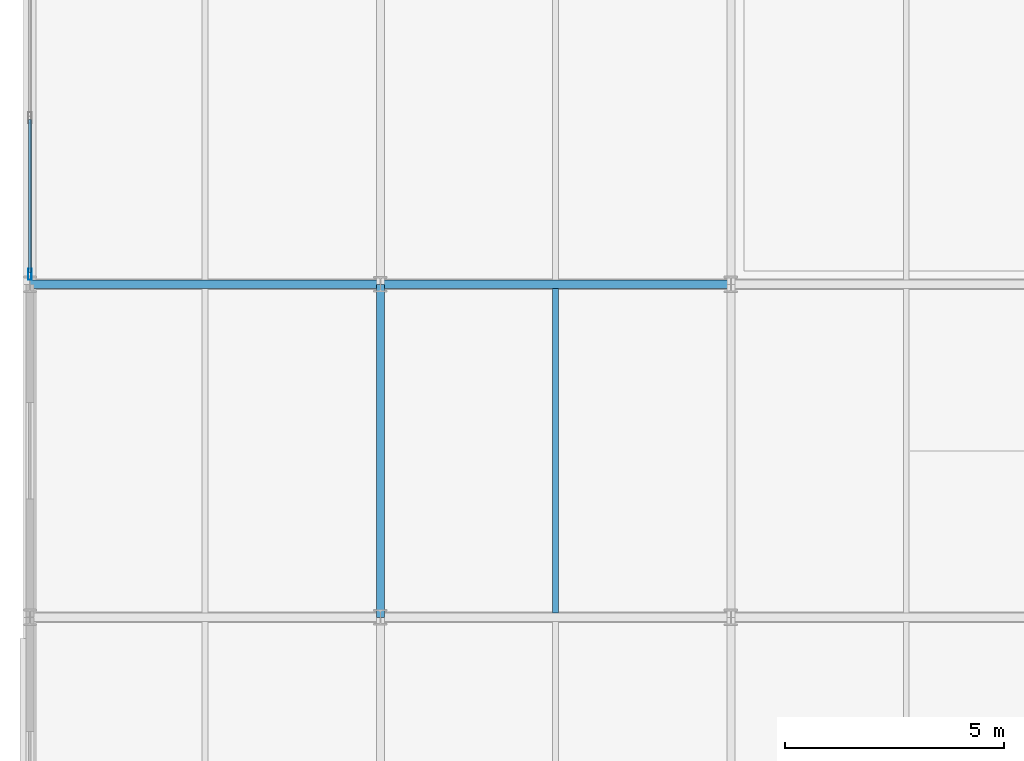
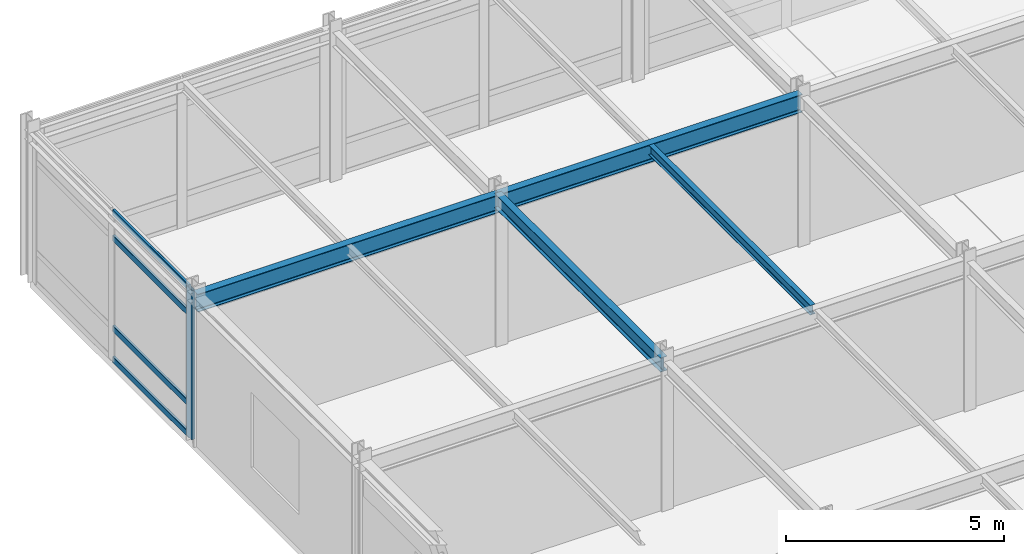
# One storey, part 5 of 16: 5 members, 4 beams, 1 element without a shape of its own.
"""IFC4 building model written with IfcOpenShell, lengths in metres."""

from ifc_helpers import new_model, si_unit, direction, frame, origin, origin_2d, place, context, subcontext, project, spatial, hollow_rectangle, i_section, extrude, material, layer, layer_set, material_profile, profile_set, type_object, element, aggregate, save


model = new_model("IFC4")

# Units and contexts
model_context = context("Model", 3, precision=1e-05, world=origin(), true_north=direction((0.0, 1.0)))
body_context = subcontext(model_context, "Body", "Model", "MODEL_VIEW")
ifc_project = project(units=[si_unit("LENGTHUNIT", "METRE"), si_unit("AREAUNIT", "SQUARE_METRE"), si_unit("VOLUMEUNIT", "CUBIC_METRE"), si_unit("PLANEANGLEUNIT", "RADIAN"), si_unit("MASSUNIT", "GRAM", prefix="KILO")], contexts=[model_context])

# Site, building, storey
site_placement = place(None, origin())
site = spatial("IfcSite", under=ifc_project, at=site_placement, CompositionType="ELEMENT")
building_placement = place(site_placement, origin())
building = spatial("IfcBuilding", under=site, at=building_placement, Name="Shalkamar Park Central Library", CompositionType="ELEMENT")
storey_placement = place(building_placement, frame((0.0, 0.0, 51.60009765625)))
storey = spatial("IfcBuildingStorey", under=building, at=storey_placement, Name="L13", CompositionType="ELEMENT", Elevation=51.60009765625)

# Beam
ifc_material_1 = material(Name="Steel S355", Category="steel")
ifc_material_profile_1 = material_profile(ifc_material_1, i_section(OverallWidth=0.135009765625, OverallDepth=0.27001953125, WebThickness=0.006591796875, FlangeThickness=0.01025390625, FilletRadius=0.014892578125, at=origin_2d()), Name="IPE 270")
ifc_profile_set_1 = profile_set([ifc_material_profile_1], Name="Steel S355")
beam_type_1 = type_object("IfcBeamType", Name="Composite Floor Joist IPE270", PredefinedType="JOIST", material=ifc_profile_set_1)
beam_1_placement = place(storey_placement, frame((177.0, 270.498046875, 4.044921875), z_axis=(0.0, 1.0, 0.0), x_axis=(-1.0, 0.0, 0.0)))
element("IfcBeam", 1, at=beam_1_placement, inside=storey, type_object=beam_type_1, Name="Composite Joist 08/E-1 (L13)", PredefinedType="JOIST", context=body_context, shape_type="SweptSolid", body=[
    extrude(i_section(OverallWidth=0.135009765625, OverallDepth=0.27001953125, WebThickness=0.006591796875, FlangeThickness=0.01025390625, FilletRadius=0.014892578125, at=origin_2d()), origin(), (0.0, 0.0, 1.0), 7.404052734375),
])

# Curtain wall, members
ifc_material_2 = material(Name="Thermally broken aluminium and triple low-e curtain wall", Category="aluminium")
ifc_layer = layer(ifc_material_2, 0.2548828125)
ifc_layer_set = layer_set([ifc_layer], Name="UnitisedCurtainWall_95")
curtain_wall_type = type_object("IfcCurtainWallType", Name="Unitised Curtain Wall 95", PredefinedType="USERDEFINED", material=ifc_layer_set)
curtain_wall_placement = place(storey_placement, origin())
curtain_wall = element("IfcCurtainWall", 2, at=curtain_wall_placement, inside=storey, type_object=curtain_wall_type, Name="Unitised Curtain Wall CW-L13-149", ObjectType="UNITISED CURTAIN WALL", PredefinedType="USERDEFINED")
ifc_material_3 = material(Name="Aluminium 6060-T66", Category="aluminium")
ifc_material_profile_2 = material_profile(ifc_material_3, hollow_rectangle(XDim=0.080078125, YDim=0.2548828125, WallThickness=0.00439453125, InnerFilletRadius=0.00439453125, OuterFilletRadius=0.0068359375, at=origin_2d()), Name="ALU 80x255x4.5")
ifc_profile_set_2 = profile_set([ifc_material_profile_2], Name="Aluminium 6060-T66")
member_type_1 = type_object("IfcMemberType", Name="Curtain Wall Mullion ALU80x255", PredefinedType="MULLION", material=ifc_profile_set_2)
member_1_placement = place(storey_placement, frame((165.0, 278.232421875, 0.0), z_axis=(0.0, 0.0, 1.0), x_axis=(-1.0, 0.0, 0.0)))
member_1 = element("IfcMember", 3, at=member_1_placement, type_object=member_type_1, Name="CW-95 mullion 1", PredefinedType="MULLION", context=body_context, shape_type="SweptSolid", body=[
    extrude(hollow_rectangle(XDim=0.080078125, YDim=0.2548828125, WallThickness=0.00439453125, InnerFilletRadius=0.00439453125, OuterFilletRadius=0.0068359375, at=origin_2d()), origin(), (0.0, 0.0, 1.0), 4.179931640625),
])
ifc_material_profile_3 = material_profile(ifc_material_3, hollow_rectangle(XDim=0.06494140625, YDim=0.169921875, WallThickness=0.00390625, InnerFilletRadius=0.00390625, OuterFilletRadius=0.006103515625, at=origin_2d()), Name="ALU 65x170x4")
ifc_profile_set_3 = profile_set([ifc_material_profile_3], Name="Aluminium 6060-T66")
member_type_2 = type_object("IfcMemberType", Name="Curtain Wall Transom ALU65x170", PredefinedType="USERDEFINED", material=ifc_profile_set_3)
member_2_placement = place(storey_placement, frame((165.0, 278.2724609375, 0.032470703125), z_axis=(0.0, 1.0, 0.0), x_axis=(-1.0, 0.0, 0.0)))
member_2 = element("IfcMember", 4, at=member_2_placement, type_object=member_type_2, Name="CW-95 transom 1.1", ObjectType="TRANSOM", PredefinedType="USERDEFINED", context=body_context, shape_type="SweptSolid", body=[
    extrude(hollow_rectangle(XDim=0.06494140625, YDim=0.169921875, WallThickness=0.00390625, InnerFilletRadius=0.00390625, OuterFilletRadius=0.006103515625, at=origin_2d()), origin(), (0.0, 0.0, 1.0), 3.487548828125),
])
member_3_placement = place(storey_placement, frame((165.0, 278.2724609375, 0.89990234375), z_axis=(0.0, 1.0, 0.0), x_axis=(-1.0, 0.0, 0.0)))
member_3 = element("IfcMember", 5, at=member_3_placement, type_object=member_type_2, Name="CW-95 transom 1.2", ObjectType="TRANSOM", PredefinedType="USERDEFINED", context=body_context, shape_type="SweptSolid", body=[
    extrude(hollow_rectangle(XDim=0.06494140625, YDim=0.169921875, WallThickness=0.00390625, InnerFilletRadius=0.00390625, OuterFilletRadius=0.006103515625, at=origin_2d()), origin(), (0.0, 0.0, 1.0), 3.487548828125),
])
member_4_placement = place(storey_placement, frame((165.0, 278.2724609375, 3.429931640625), z_axis=(0.0, 1.0, 0.0), x_axis=(-1.0, 0.0, 0.0)))
member_4 = element("IfcMember", 6, at=member_4_placement, type_object=member_type_2, Name="CW-95 transom 1.3", ObjectType="TRANSOM", PredefinedType="USERDEFINED", context=body_context, shape_type="SweptSolid", body=[
    extrude(hollow_rectangle(XDim=0.06494140625, YDim=0.169921875, WallThickness=0.00390625, InnerFilletRadius=0.00390625, OuterFilletRadius=0.006103515625, at=origin_2d()), origin(), (0.0, 0.0, 1.0), 3.487548828125),
])
member_5_placement = place(storey_placement, frame((165.0, 278.2724609375, 4.1474609375), z_axis=(0.0, 1.0, 0.0), x_axis=(-1.0, 0.0, 0.0)))
member_5 = element("IfcMember", 7, at=member_5_placement, type_object=member_type_2, Name="CW-95 transom 1.4", ObjectType="TRANSOM", PredefinedType="USERDEFINED", context=body_context, shape_type="SweptSolid", body=[
    extrude(hollow_rectangle(XDim=0.06494140625, YDim=0.169921875, WallThickness=0.00390625, InnerFilletRadius=0.00390625, OuterFilletRadius=0.006103515625, at=origin_2d()), origin(), (0.0, 0.0, 1.0), 3.487548828125),
])
aggregate(curtain_wall, [member_1, member_2, member_3, member_4, member_5])

# Beams
ifc_material_profile_4 = material_profile(ifc_material_1, i_section(OverallWidth=0.179931640625, OverallDepth=0.39990234375, WebThickness=0.008544921875, FlangeThickness=0.013427734375, FilletRadius=0.02099609375, at=origin_2d()), Name="IPE 400")
ifc_profile_set_4 = profile_set([ifc_material_profile_4], Name="Steel S355")
beam_type_2 = type_object("IfcBeamType", Name="Primary Girder IPE400", PredefinedType="BEAM", material=ifc_profile_set_4)
beam_2_placement = place(storey_placement, frame((173.0, 270.39990234375, 3.97998046875), z_axis=(0.0, 1.0, 0.0), x_axis=(-1.0, 0.0, 0.0)))
element("IfcBeam", 8, at=beam_2_placement, inside=storey, type_object=beam_type_2, Name="Beam 08:E-F (L13)", PredefinedType="BEAM", context=body_context, shape_type="SweptSolid", body=[
    extrude(i_section(OverallWidth=0.179931640625, OverallDepth=0.39990234375, WebThickness=0.008544921875, FlangeThickness=0.013427734375, FilletRadius=0.02099609375, at=origin_2d()), origin(), (0.0, 0.0, 1.0), 7.60009765625),
])
ifc_material_profile_5 = material_profile(ifc_material_1, i_section(OverallWidth=0.199951171875, OverallDepth=0.5, WebThickness=0.01025390625, FlangeThickness=0.01611328125, FilletRadius=0.02099609375, at=origin_2d()), Name="IPE 500")
ifc_profile_set_5 = profile_set([ifc_material_profile_5], Name="Steel S355")
beam_type_3 = type_object("IfcBeamType", Name="Primary Girder IPE500", PredefinedType="BEAM", material=ifc_profile_set_5)
for number, where, z_axis, x_axis, name in (
    (9, (165.0, 278.0, 3.929931640625), (1.0, 0.0, 0.0), (0.0, 1.0, 0.0), "Beam F:07-08 (L13)"),
    (10, (173.0, 278.0, 3.929931640625), (1.0, 0.0, 0.0), (0.0, 1.0, 0.0), "Beam F:08-09 (L13)"),
):
    element("IfcBeam", number, at=place(storey_placement, frame(where, z_axis=z_axis, x_axis=x_axis)), inside=storey, type_object=beam_type_3, Name=name, PredefinedType="BEAM", context=body_context, shape_type="SweptSolid", body=[
        extrude(i_section(OverallWidth=0.199951171875, OverallDepth=0.5, WebThickness=0.01025390625, FlangeThickness=0.01611328125, FilletRadius=0.02099609375, at=origin_2d()), origin(), (0.0, 0.0, 1.0), 8.0),
    ])

save(model, "model.ifc")
